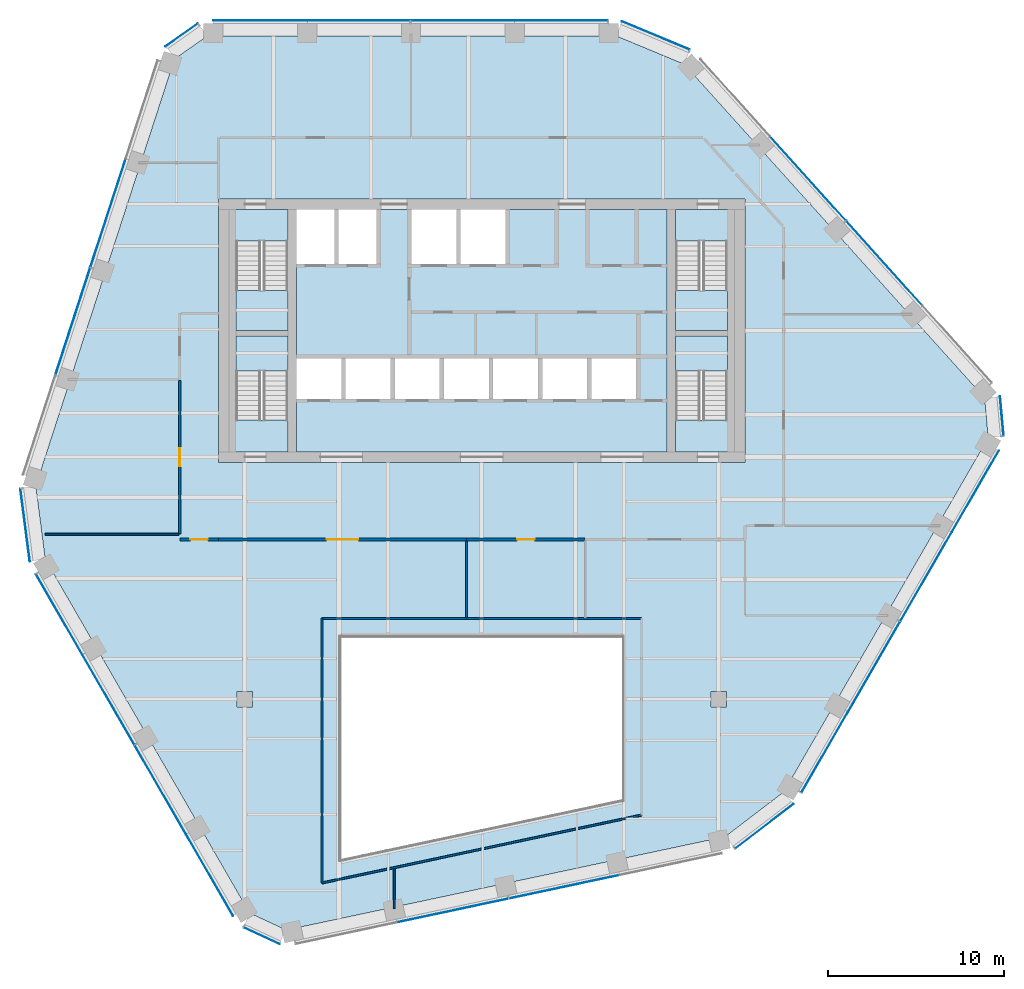
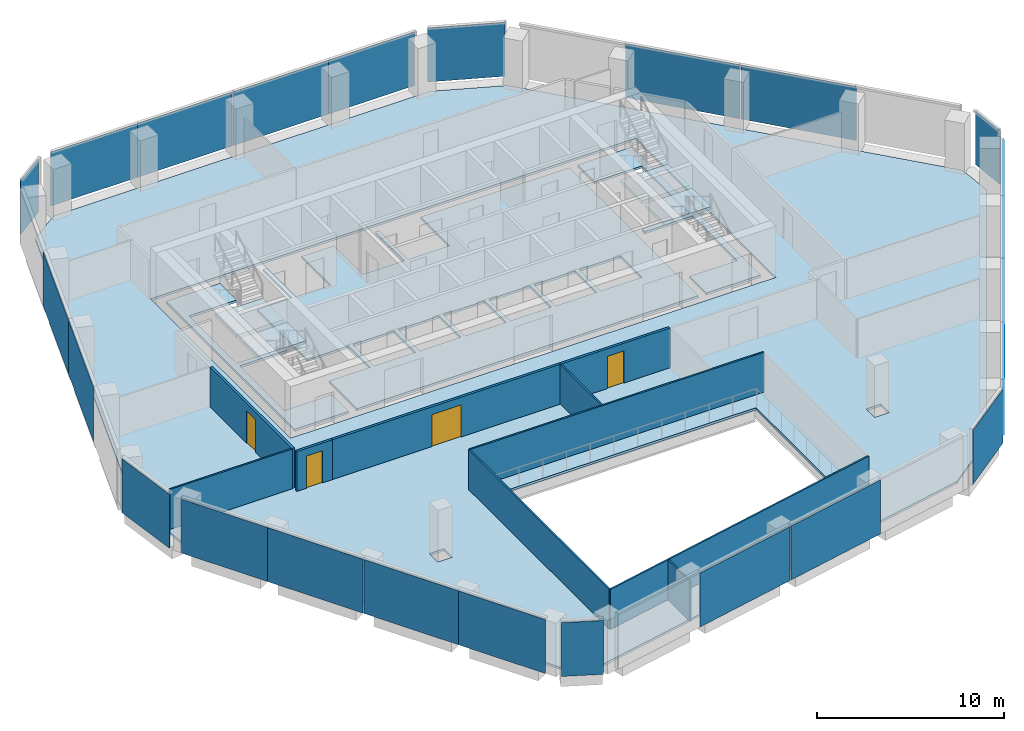
# One storey, part 8 of 16: 24 plates, 10 walls, 8 slabs, 4 doors, 4 openings, 16 elements without a shape of their own.
"""IFC4 building model written with IfcOpenShell, lengths in metres."""

from ifc_helpers import new_model, si_unit, direction, frame, frame_2d, origin, origin_2d, place, context, subcontext, project, spatial, polyline, rectangle, outline, extrude, material, layer, layer_set, type_object, element, fill, aggregate, save


model = new_model("IFC4")

# Units and contexts
model_context = context("Model", 3, precision=1e-05, world=origin(), true_north=direction((0.0, 1.0)))
body_context = subcontext(model_context, "Body", "Model", "MODEL_VIEW")
ifc_project = project(units=[si_unit("LENGTHUNIT", "METRE"), si_unit("AREAUNIT", "SQUARE_METRE"), si_unit("VOLUMEUNIT", "CUBIC_METRE"), si_unit("PLANEANGLEUNIT", "RADIAN"), si_unit("MASSUNIT", "GRAM", prefix="KILO")], contexts=[model_context])

# Site, building, storey
site_placement = place(None, origin())
site = spatial("IfcSite", under=ifc_project, at=site_placement, CompositionType="ELEMENT")
building_placement = place(site_placement, origin())
building = spatial("IfcBuilding", under=site, at=building_placement, Name="Isthmus Gate Tower", CompositionType="ELEMENT")
storey_placement = place(building_placement, frame((0.0, 0.0, 252.800048828125)))
storey = spatial("IfcBuildingStorey", under=building, at=storey_placement, Name="L64", CompositionType="ELEMENT", Elevation=252.800048828125)

# Slabs
ifc_material_1 = material(Name="Concrete f'c 40 MPa", Category="concrete")
ifc_layer_1 = layer(ifc_material_1, 0.14990234375)
ifc_layer_set_1 = layer_set([ifc_layer_1], Name="COMPOSITE FLOOR SLAB 150")
slab_type_1 = type_object("IfcSlabType", Name="COMPOSITE FLOOR SLAB 150", PredefinedType="FLOOR", material=ifc_layer_set_1)
slab_1_placement = place(storey_placement, frame((0.0, 0.0, -0.150146484375)))
element("IfcSlab", 1, at=slab_1_placement, inside=storey, type_object=slab_type_1, Name="str-slab-L64-1", PredefinedType="FLOOR", context=body_context, shape_type="SweptSolid", body=[
    extrude(outline(polyline([(11.539794921875, 22.68310546875), (28.65380859375, 3.67626953125), (28.859375, 1.3857421875), (17.21875, -18.7763671875), (13.874267578125, -21.335205078125), (-11.143310546875, -26.65283203125), (-13.2294921875, -25.685791015625), (-24.8701171875, -5.523681640625), (-25.4140625, -1.347900390625), (-17.510498046875, 22.976806640625), (-15.629638671875, 24.300048828125), (7.6513671875, 24.300048828125), (11.539794921875, 22.68310546875)]), holes=[polyline([(-8.0, -10.0), (-8.0, -22.611083984375), (8.0, -19.210205078125), (8.0, -10.0), (-8.0, -10.0)]), polyline([(-13.949951171875, -13.050048828125), (-13.949951171875, -13.949951171875), (-13.050048828125, -13.949951171875), (-13.050048828125, -13.050048828125), (-13.949951171875, -13.050048828125)]), polyline([(13.050048828125, -13.050048828125), (13.050048828125, -13.949951171875), (13.949951171875, -13.949951171875), (13.949951171875, -13.050048828125), (13.050048828125, -13.050048828125)]), polyline([(-15.0, 0.0), (15.0, 0.0), (15.0, 15.0), (-15.0, 15.0), (-15.0, 0.0)])]), origin(), (0.0, 0.0, 1.0), 0.150146484375),
])
ifc_material_2 = material(Name="Concrete f'c 40 MPa", Category="concrete")
ifc_layer_2 = layer(ifc_material_2, 0.14990234375)
ifc_layer_set_2 = layer_set([ifc_layer_2], Name="CORE FLOOR SLAB 150")
slab_type_2 = type_object("IfcSlabType", Name="CORE FLOOR SLAB 150", PredefinedType="FLOOR", material=ifc_layer_set_2)
slab_2_placement = place(storey_placement, frame((0.0, 0.0, -0.150146484375)))
element("IfcSlab", 2, at=slab_2_placement, inside=storey, type_object=slab_type_2, Name="L64 core floor", PredefinedType="FLOOR", context=body_context, shape_type="SweptSolid", body=[
    extrude(outline(polyline([(-11.050048828125, 0.60009765625), (-11.050048828125, 2.402099609375), (-14.0, 2.402099609375), (-14.0, 7.199951171875), (-11.050048828125, 7.199951171875), (-11.050048828125, 7.5), (-14.0, 7.5), (-14.0, 12.597900390625), (-11.050048828125, 12.597900390625), (-11.050048828125, 14.39990234375), (-14.39990234375, 14.39990234375), (-14.39990234375, 0.60009765625), (-11.050048828125, 0.60009765625)])), origin(), (0.0, 0.0, 1.0), 0.150146484375),
])
slab_3_placement = place(storey_placement, frame((0.0, 0.0, -0.150146484375)))
element("IfcSlab", 3, at=slab_3_placement, inside=storey, type_object=slab_type_2, Name="L64 core floor", PredefinedType="FLOOR", context=body_context, shape_type="SweptSolid", body=[
    extrude(outline(polyline([(10.550048828125, 14.39990234375), (1.35009765625, 14.39990234375), (1.35009765625, 11.300048828125), (-1.199951171875, 11.300048828125), (-1.199951171875, 14.39990234375), (-1.449951171875, 14.39990234375), (-1.449951171875, 11.300048828125), (-4.0, 11.300048828125), (-4.0, 14.39990234375), (-6.0, 14.39990234375), (-6.0, 11.300048828125), (-8.14990234375, 11.300048828125), (-8.14990234375, 14.39990234375), (-8.39990234375, 14.39990234375), (-8.39990234375, 11.300048828125), (-10.550048828125, 11.300048828125), (-10.550048828125, 5.89990234375), (-8.0, 5.89990234375), (-8.0, 3.60009765625), (-10.550048828125, 3.60009765625), (-10.550048828125, 0.60009765625), (10.550048828125, 0.60009765625), (10.550048828125, 14.39990234375)]), holes=[polyline([(-5.199951171875, 5.89990234375), (-5.199951171875, 3.60009765625), (-7.75, 3.60009765625), (-7.75, 5.89990234375), (-5.199951171875, 5.89990234375)]), polyline([(-2.39990234375, 5.89990234375), (-2.39990234375, 3.60009765625), (-4.949951171875, 3.60009765625), (-4.949951171875, 5.89990234375), (-2.39990234375, 5.89990234375)]), polyline([(0.39990234375, 5.89990234375), (0.39990234375, 3.60009765625), (-2.14990234375, 3.60009765625), (-2.14990234375, 5.89990234375), (0.39990234375, 5.89990234375)]), polyline([(3.199951171875, 5.89990234375), (3.199951171875, 3.60009765625), (0.64990234375, 3.60009765625), (0.64990234375, 5.89990234375), (3.199951171875, 5.89990234375)]), polyline([(6.0, 5.89990234375), (6.0, 3.60009765625), (3.449951171875, 3.60009765625), (3.449951171875, 5.89990234375), (6.0, 5.89990234375)]), polyline([(8.800048828125, 5.89990234375), (8.800048828125, 3.60009765625), (6.25, 3.60009765625), (6.25, 5.89990234375), (8.800048828125, 5.89990234375)])]), origin(), (0.0, 0.0, 1.0), 0.150146484375),
])
slab_4_placement = place(storey_placement, frame((0.0, 0.0, -0.150146484375)))
element("IfcSlab", 4, at=slab_4_placement, inside=storey, type_object=slab_type_2, Name="L64 core floor", PredefinedType="FLOOR", context=body_context, shape_type="SweptSolid", body=[
    extrude(outline(polyline([(11.050048828125, 14.39990234375), (11.050048828125, 12.597900390625), (14.0, 12.597900390625), (14.0, 7.5), (11.050048828125, 7.5), (11.050048828125, 7.199951171875), (14.0, 7.199951171875), (14.0, 2.402099609375), (11.050048828125, 2.402099609375), (11.050048828125, 0.60009765625), (14.39990234375, 0.60009765625), (14.39990234375, 14.39990234375), (11.050048828125, 14.39990234375)])), origin(), (0.0, 0.0, 1.0), 0.150146484375),
])

# Curtain wall, plates
ifc_material_3 = material(Name="Aluminium, pale champagne anodised", Category="aluminium")
ifc_layer_3 = layer(ifc_material_3, 0.199951171875)
ifc_layer_set_3 = layer_set([ifc_layer_3], Name="CW-1 UNITISED CURTAIN WALL 200 DEEP")
curtain_wall_type = type_object("IfcCurtainWallType", Name="CW-1 UNITISED CURTAIN WALL 200 DEEP", PredefinedType="NOTDEFINED", material=ifc_layer_set_3)
curtain_wall_1_placement = place(storey_placement, origin())
curtain_wall_1 = element("IfcCurtainWall", 5, at=curtain_wall_1_placement, inside=storey, type_object=curtain_wall_type, Name="CW-1 N L64", PredefinedType="NOTDEFINED")
ifc_material_4 = material(Name="Laminated low-iron glass, pale blue tint", Category="glass")
ifc_layer_4 = layer(ifc_material_4, 0.031982421875)
ifc_layer_set_4 = layer_set([ifc_layer_4], Name="CW-1 CLEAR GLASS LITE 32")
plate_type = type_object("IfcPlateType", Name="CW-1 CLEAR GLASS LITE 32", PredefinedType="CURTAIN_PANEL", material=ifc_layer_set_4)
plate_1_placement = place(storey_placement, frame((4.53076171875, 25.18408203125, 0.0), z_axis=(0.0, 0.0, 1.0), x_axis=(-1.0, 0.0, 0.0)))
plate_1 = element("IfcPlate", 6, at=plate_1_placement, type_object=plate_type, Name="CW-1 glass lite", PredefinedType="CURTAIN_PANEL", context=body_context, shape_type="SweptSolid", body=[
    extrude(rectangle(XDim=5.300537109375, YDim=0.031982421875, at=origin_2d()), origin(), (0.0, 0.0, 1.0), 3.52001953125),
])
plate_2_placement = place(storey_placement, frame((-1.07470703125, 25.18408203125, 0.0), z_axis=(0.0, 0.0, 1.0), x_axis=(-1.0, 0.0, 0.0)))
plate_2 = element("IfcPlate", 7, at=plate_2_placement, type_object=plate_type, Name="CW-1 glass lite", PredefinedType="CURTAIN_PANEL", context=body_context, shape_type="SweptSolid", body=[
    extrude(rectangle(XDim=5.91064453125, YDim=0.031982421875, at=origin_2d()), origin(), (0.0, 0.0, 1.0), 3.52001953125),
])
plate_3_placement = place(storey_placement, frame((-7.015380859375, 25.18408203125, 0.0), z_axis=(0.0, 0.0, 1.0), x_axis=(-1.0, 0.0, 0.0)))
plate_3 = element("IfcPlate", 8, at=plate_3_placement, type_object=plate_type, Name="CW-1 glass lite", PredefinedType="CURTAIN_PANEL", context=body_context, shape_type="SweptSolid", body=[
    extrude(rectangle(XDim=5.8505859375, YDim=0.031982421875, at=origin_2d()), origin(), (0.0, 0.0, 1.0), 3.52001953125),
])
plate_4_placement = place(storey_placement, frame((-12.62109375, 25.18408203125, 0.0), z_axis=(0.0, 0.0, 1.0), x_axis=(-1.0, 0.0, 0.0)))
plate_4 = element("IfcPlate", 9, at=plate_4_placement, type_object=plate_type, Name="CW-1 glass lite", PredefinedType="CURTAIN_PANEL", context=body_context, shape_type="SweptSolid", body=[
    extrude(rectangle(XDim=5.360595703125, YDim=0.031982421875, at=origin_2d()), origin(), (0.0, 0.0, 1.0), 3.52001953125),
])
aggregate(curtain_wall_1, [plate_1, plate_2, plate_3, plate_4])

# Curtain wall, plate
curtain_wall_2_placement = place(storey_placement, origin())
curtain_wall_2 = element("IfcCurtainWall", 10, at=curtain_wall_2_placement, inside=storey, type_object=curtain_wall_type, Name="CW-1 N-NW L64", PredefinedType="NOTDEFINED")
plate_5_placement = place(storey_placement, frame((-17.1025390625, 24.3447265625, 0.0), z_axis=(0.0, 0.0, 1.0), x_axis=(-0.81785959165, -0.57541783805, 0.0)))
plate_5 = element("IfcPlate", 11, at=plate_5_placement, type_object=plate_type, Name="CW-1 glass lite", PredefinedType="CURTAIN_PANEL", context=body_context, shape_type="SweptSolid", body=[
    extrude(rectangle(XDim=2.258544921875, YDim=0.031982421875, at=origin_2d()), origin(), (0.0, 0.0, 1.0), 3.52001953125),
])
aggregate(curtain_wall_2, [plate_5])

# Curtain wall, plates
curtain_wall_3_placement = place(storey_placement, origin())
curtain_wall_3 = element("IfcCurtainWall", 12, at=curtain_wall_3_placement, inside=storey, type_object=curtain_wall_type, Name="CW-1 NW L64", PredefinedType="NOTDEFINED")
plate_6_placement = place(storey_placement, frame((-21.288330078125, 14.210693359375, 0.0), z_axis=(0.0, 0.0, 1.0), x_axis=(-0.309016994375, -0.951056516295, 0.0)))
plate_6 = element("IfcPlate", 13, at=plate_6_placement, type_object=plate_type, Name="CW-1 glass lite", PredefinedType="CURTAIN_PANEL", context=body_context, shape_type="SweptSolid", body=[
    extrude(rectangle(XDim=6.491943359375, YDim=0.031982421875, at=origin_2d()), origin(), (0.0, 0.0, 1.0), 3.52001953125),
])
plate_7_placement = place(storey_placement, frame((-23.3037109375, 8.0078125, 0.0), z_axis=(0.0, 0.0, 1.0), x_axis=(-0.309016994375, -0.951056516295, 0.0)))
plate_7 = element("IfcPlate", 14, at=plate_7_placement, type_object=plate_type, Name="CW-1 glass lite", PredefinedType="CURTAIN_PANEL", context=body_context, shape_type="SweptSolid", body=[
    extrude(rectangle(XDim=6.431884765625, YDim=0.031982421875, at=origin_2d()), origin(), (0.0, 0.0, 1.0), 3.52001953125),
])
aggregate(curtain_wall_3, [plate_6, plate_7])

# Curtain wall, plate
curtain_wall_4_placement = place(storey_placement, origin())
curtain_wall_4 = element("IfcCurtainWall", 15, at=curtain_wall_4_placement, inside=storey, type_object=curtain_wall_type, Name="CW-1 NW-SW L64", PredefinedType="NOTDEFINED")
plate_8_placement = place(storey_placement, frame((-26.014892578125, -3.57958984375, 0.0), z_axis=(0.0, 0.0, 1.0), x_axis=(0.129164534, -0.991623175988, 0.0)))
plate_8 = element("IfcPlate", 16, at=plate_8_placement, type_object=plate_type, Name="CW-1 glass lite", PredefinedType="CURTAIN_PANEL", context=body_context, shape_type="SweptSolid", body=[
    extrude(rectangle(XDim=4.181396484375, YDim=0.031982421875, at=origin_2d()), origin(), (0.0, 0.0, 1.0), 3.52001953125),
])
aggregate(curtain_wall_4, [plate_8])

# Curtain wall, plates
curtain_wall_5_placement = place(storey_placement, origin())
curtain_wall_5 = element("IfcCurtainWall", 17, at=curtain_wall_5_placement, inside=storey, type_object=curtain_wall_type, Name="CW-1 SW L64", PredefinedType="NOTDEFINED")
plate_9_placement = place(storey_placement, frame((-24.075439453125, -8.668212890625, 0.0), z_axis=(0.0, 0.0, 1.0), x_axis=(0.5, -0.866025403784, 0.0)))
plate_9 = element("IfcPlate", 18, at=plate_9_placement, type_object=plate_type, Name="CW-1 glass lite", PredefinedType="CURTAIN_PANEL", context=body_context, shape_type="SweptSolid", body=[
    extrude(rectangle(XDim=5.300537109375, YDim=0.031982421875, at=origin_2d()), origin(), (0.0, 0.0, 1.0), 3.52001953125),
])
plate_10_placement = place(storey_placement, frame((-21.272705078125, -13.522705078125, 0.0), z_axis=(0.0, 0.0, 1.0), x_axis=(0.5, -0.866025403784, 0.0)))
plate_10 = element("IfcPlate", 19, at=plate_10_placement, type_object=plate_type, Name="CW-1 glass lite", PredefinedType="CURTAIN_PANEL", context=body_context, shape_type="SweptSolid", body=[
    extrude(rectangle(XDim=5.91064453125, YDim=0.031982421875, at=origin_2d()), origin(), (0.0, 0.0, 1.0), 3.52001953125),
])
plate_11_placement = place(storey_placement, frame((-18.30224609375, -18.66748046875, 0.0), z_axis=(0.0, 0.0, 1.0), x_axis=(0.5, -0.866025403784, 0.0)))
plate_11 = element("IfcPlate", 20, at=plate_11_placement, type_object=plate_type, Name="CW-1 glass lite", PredefinedType="CURTAIN_PANEL", context=body_context, shape_type="SweptSolid", body=[
    extrude(rectangle(XDim=5.8505859375, YDim=0.031982421875, at=origin_2d()), origin(), (0.0, 0.0, 1.0), 3.52001953125),
])
plate_12_placement = place(storey_placement, frame((-15.49951171875, -23.52197265625, 0.0), z_axis=(0.0, 0.0, 1.0), x_axis=(0.5, -0.866025403784, 0.0)))
plate_12 = element("IfcPlate", 21, at=plate_12_placement, type_object=plate_type, Name="CW-1 glass lite", PredefinedType="CURTAIN_PANEL", context=body_context, shape_type="SweptSolid", body=[
    extrude(rectangle(XDim=5.360595703125, YDim=0.031982421875, at=origin_2d()), origin(), (0.0, 0.0, 1.0), 3.52001953125),
])
aggregate(curtain_wall_5, [plate_9, plate_10, plate_11, plate_12])

# Curtain wall, plate
curtain_wall_6_placement = place(storey_placement, origin())
curtain_wall_6 = element("IfcCurtainWall", 22, at=curtain_wall_6_placement, inside=storey, type_object=curtain_wall_type, Name="CW-1 SW-S L64", PredefinedType="NOTDEFINED")
plate_13_placement = place(storey_placement, frame((-12.531982421875, -26.9833984375, 0.0), z_axis=(0.0, 0.0, 1.0), x_axis=(0.907256261367, -0.420578264073, 0.0)))
plate_13 = element("IfcPlate", 23, at=plate_13_placement, type_object=plate_type, Name="CW-1 glass lite", PredefinedType="CURTAIN_PANEL", context=body_context, shape_type="SweptSolid", body=[
    extrude(rectangle(XDim=2.258544921875, YDim=0.031982421875, at=origin_2d()), origin(), (0.0, 0.0, 1.0), 3.52001953125),
])
aggregate(curtain_wall_6, [plate_13])

# Curtain wall, plates
curtain_wall_7_placement = place(storey_placement, origin())
curtain_wall_7 = element("IfcCurtainWall", 24, at=curtain_wall_7_placement, inside=storey, type_object=curtain_wall_type, Name="CW-1 S L64", PredefinedType="NOTDEFINED")
plate_14_placement = place(storey_placement, frame((-1.66259765625, -25.54150390625, 0.0), z_axis=(0.0, 0.0, 1.0), x_axis=(0.978147600734, 0.207911690818, 0.0)))
plate_14 = element("IfcPlate", 25, at=plate_14_placement, type_object=plate_type, Name="CW-1 glass lite", PredefinedType="CURTAIN_PANEL", context=body_context, shape_type="SweptSolid", body=[
    extrude(rectangle(XDim=6.491943359375, YDim=0.031982421875, at=origin_2d()), origin(), (0.0, 0.0, 1.0), 3.52001953125),
])
plate_15_placement = place(storey_placement, frame((4.716796875, -24.185546875, 0.0), z_axis=(0.0, 0.0, 1.0), x_axis=(0.978147600734, 0.207911690818, 0.0)))
plate_15 = element("IfcPlate", 26, at=plate_15_placement, type_object=plate_type, Name="CW-1 glass lite", PredefinedType="CURTAIN_PANEL", context=body_context, shape_type="SweptSolid", body=[
    extrude(rectangle(XDim=6.431884765625, YDim=0.031982421875, at=origin_2d()), origin(), (0.0, 0.0, 1.0), 3.52001953125),
])
aggregate(curtain_wall_7, [plate_14, plate_15])

# Curtain wall, plate
curtain_wall_8_placement = place(storey_placement, origin())
curtain_wall_8 = element("IfcCurtainWall", 27, at=curtain_wall_8_placement, inside=storey, type_object=curtain_wall_type, Name="CW-1 S-SE L64", PredefinedType="NOTDEFINED")
plate_16_placement = place(storey_placement, frame((16.107421875, -20.73974609375, 0.0), z_axis=(0.0, 0.0, 1.0), x_axis=(0.794188594387, 0.607671355706, 0.0)))
plate_16 = element("IfcPlate", 28, at=plate_16_placement, type_object=plate_type, Name="CW-1 glass lite", PredefinedType="CURTAIN_PANEL", context=body_context, shape_type="SweptSolid", body=[
    extrude(rectangle(XDim=4.181396484375, YDim=0.031982421875, at=origin_2d()), origin(), (0.0, 0.0, 1.0), 3.52001953125),
])
aggregate(curtain_wall_8, [plate_16])

# Curtain wall, plates
curtain_wall_9_placement = place(storey_placement, origin())
curtain_wall_9 = element("IfcCurtainWall", 29, at=curtain_wall_9_placement, inside=storey, type_object=curtain_wall_type, Name="CW-1 SE L64", PredefinedType="NOTDEFINED")
plate_17_placement = place(storey_placement, frame((19.544677734375, -16.515869140625, 0.0), z_axis=(0.0, 0.0, 1.0), x_axis=(0.5, 0.866025403784, 0.0)))
plate_17 = element("IfcPlate", 30, at=plate_17_placement, type_object=plate_type, Name="CW-1 glass lite", PredefinedType="CURTAIN_PANEL", context=body_context, shape_type="SweptSolid", body=[
    extrude(rectangle(XDim=5.300537109375, YDim=0.031982421875, at=origin_2d()), origin(), (0.0, 0.0, 1.0), 3.52001953125),
])
plate_18_placement = place(storey_placement, frame((22.347412109375, -11.6611328125, 0.0), z_axis=(0.0, 0.0, 1.0), x_axis=(0.5, 0.866025403784, 0.0)))
plate_18 = element("IfcPlate", 31, at=plate_18_placement, type_object=plate_type, Name="CW-1 glass lite", PredefinedType="CURTAIN_PANEL", context=body_context, shape_type="SweptSolid", body=[
    extrude(rectangle(XDim=5.91064453125, YDim=0.031982421875, at=origin_2d()), origin(), (0.0, 0.0, 1.0), 3.52001953125),
])
plate_19_placement = place(storey_placement, frame((25.317626953125, -6.5166015625, 0.0), z_axis=(0.0, 0.0, 1.0), x_axis=(0.5, 0.866025403784, 0.0)))
plate_19 = element("IfcPlate", 32, at=plate_19_placement, type_object=plate_type, Name="CW-1 glass lite", PredefinedType="CURTAIN_PANEL", context=body_context, shape_type="SweptSolid", body=[
    extrude(rectangle(XDim=5.8505859375, YDim=0.031982421875, at=origin_2d()), origin(), (0.0, 0.0, 1.0), 3.52001953125),
])
plate_20_placement = place(storey_placement, frame((28.120361328125, -1.661865234375, 0.0), z_axis=(0.0, 0.0, 1.0), x_axis=(0.5, 0.866025403784, 0.0)))
plate_20 = element("IfcPlate", 33, at=plate_20_placement, type_object=plate_type, Name="CW-1 glass lite", PredefinedType="CURTAIN_PANEL", context=body_context, shape_type="SweptSolid", body=[
    extrude(rectangle(XDim=5.360595703125, YDim=0.031982421875, at=origin_2d()), origin(), (0.0, 0.0, 1.0), 3.52001953125),
])
aggregate(curtain_wall_9, [plate_17, plate_18, plate_19, plate_20])

# Curtain wall, plate
curtain_wall_10_placement = place(storey_placement, origin())
curtain_wall_10 = element("IfcCurtainWall", 34, at=curtain_wall_10_placement, inside=storey, type_object=curtain_wall_type, Name="CW-1 SE-NE L64", PredefinedType="NOTDEFINED")
plate_21_placement = place(storey_placement, frame((29.63427734375, 2.638671875, 0.0), z_axis=(0.0, 0.0, 1.0), x_axis=(-0.089396669717, 0.995996102123, 0.0)))
plate_21 = element("IfcPlate", 35, at=plate_21_placement, type_object=plate_type, Name="CW-1 glass lite", PredefinedType="CURTAIN_PANEL", context=body_context, shape_type="SweptSolid", body=[
    extrude(rectangle(XDim=2.258544921875, YDim=0.031982421875, at=origin_2d()), origin(), (0.0, 0.0, 1.0), 3.52001953125),
])
aggregate(curtain_wall_10, [plate_21])

# Curtain wall, plates
curtain_wall_11_placement = place(storey_placement, origin())
curtain_wall_11 = element("IfcCurtainWall", 36, at=curtain_wall_11_placement, inside=storey, type_object=curtain_wall_type, Name="CW-1 NE L64", PredefinedType="NOTDEFINED")
plate_22_placement = place(storey_placement, frame((22.950927734375, 11.330810546875, 0.0), z_axis=(0.0, 0.0, 1.0), x_axis=(-0.669130606359, 0.743144825477, 0.0)))
plate_22 = element("IfcPlate", 37, at=plate_22_placement, type_object=plate_type, Name="CW-1 glass lite", PredefinedType="CURTAIN_PANEL", context=body_context, shape_type="SweptSolid", body=[
    extrude(rectangle(XDim=6.491943359375, YDim=0.031982421875, at=origin_2d()), origin(), (0.0, 0.0, 1.0), 3.52001953125),
])
plate_23_placement = place(storey_placement, frame((18.5869140625, 16.177734375, 0.0), z_axis=(0.0, 0.0, 1.0), x_axis=(-0.669130606359, 0.743144825477, 0.0)))
plate_23 = element("IfcPlate", 38, at=plate_23_placement, type_object=plate_type, Name="CW-1 glass lite", PredefinedType="CURTAIN_PANEL", context=body_context, shape_type="SweptSolid", body=[
    extrude(rectangle(XDim=6.431884765625, YDim=0.031982421875, at=origin_2d()), origin(), (0.0, 0.0, 1.0), 3.52001953125),
])
aggregate(curtain_wall_11, [plate_22, plate_23])

# Curtain wall, plate
curtain_wall_12_placement = place(storey_placement, origin())
curtain_wall_12 = element("IfcCurtainWall", 39, at=curtain_wall_12_placement, inside=storey, type_object=curtain_wall_type, Name="CW-1 NE-N L64", PredefinedType="NOTDEFINED")
plate_24_placement = place(storey_placement, frame((9.907470703125, 24.3193359375, 0.0), z_axis=(0.0, 0.0, 1.0), x_axis=(-0.923353128387, 0.383951820282, 0.0)))
plate_24 = element("IfcPlate", 40, at=plate_24_placement, type_object=plate_type, Name="CW-1 glass lite", PredefinedType="CURTAIN_PANEL", context=body_context, shape_type="SweptSolid", body=[
    extrude(rectangle(XDim=4.181396484375, YDim=0.031982421875, at=origin_2d()), origin(), (0.0, 0.0, 1.0), 3.52001953125),
])
aggregate(curtain_wall_12, [plate_24])

# Stair, slab
ifc_material_5 = material(Name="Concrete f'c 40 MPa", Category="concrete")
stair_type = type_object("IfcStairType", Name="CORE STAIR 22 RISERS", PredefinedType="HALF_TURN_STAIR", material=ifc_material_5)
stair_1_placement = place(storey_placement, origin())
stair_1 = element("IfcStair", 41, at=stair_1_placement, inside=storey, type_object=stair_type, Name="L64 Exit Stair 1", PredefinedType="HALF_TURN_STAIR")
ifc_material_6 = material(Name="Concrete f'c 40 MPa", Category="concrete")
ifc_layer_5 = layer(ifc_material_6, 0.199951171875)
ifc_layer_set_5 = layer_set([ifc_layer_5])
slab_type_3 = type_object("IfcSlabType", Name="STAIR LANDING RC 200", PredefinedType="LANDING", material=ifc_layer_set_5)
slab_5_placement = place(storey_placement, frame((0.0, 0.0, 1.625)))
slab_5 = element("IfcSlab", 42, at=slab_5_placement, type_object=slab_type_3, Name="ST1 landing 1", PredefinedType="LANDING", context=body_context, shape_type="SweptSolid", body=[
    extrude(outline(polyline([(-14.0, 9.800048828125), (-14.0, 7.5), (-11.050048828125, 7.5), (-11.050048828125, 9.800048828125), (-14.0, 9.800048828125)])), origin(), (0.0, 0.0, 1.0), 0.199951171875),
])
aggregate(stair_1, [slab_5])

stair_2_placement = place(storey_placement, origin())
stair_2 = element("IfcStair", 43, at=stair_2_placement, inside=storey, type_object=stair_type, Name="L64 Exit Stair 2", PredefinedType="HALF_TURN_STAIR")
slab_6_placement = place(storey_placement, frame((0.0, 0.0, 1.625)))
slab_6 = element("IfcSlab", 44, at=slab_6_placement, type_object=slab_type_3, Name="ST2 landing 1", PredefinedType="LANDING", context=body_context, shape_type="SweptSolid", body=[
    extrude(outline(polyline([(11.050048828125, 9.800048828125), (11.050048828125, 7.5), (14.0, 7.5), (14.0, 9.800048828125), (11.050048828125, 9.800048828125)])), origin(), (0.0, 0.0, 1.0), 0.199951171875),
])
aggregate(stair_2, [slab_6])

stair_3_placement = place(storey_placement, origin())
stair_3 = element("IfcStair", 45, at=stair_3_placement, inside=storey, type_object=stair_type, Name="L64 Exit Stair 7", PredefinedType="HALF_TURN_STAIR")
slab_7_placement = place(storey_placement, frame((0.0, 0.0, 1.625)))
slab_7 = element("IfcSlab", 46, at=slab_7_placement, type_object=slab_type_3, Name="ST7 landing 1", PredefinedType="LANDING", context=body_context, shape_type="SweptSolid", body=[
    extrude(outline(polyline([(-11.050048828125, 5.199951171875), (-11.050048828125, 7.199951171875), (-14.0, 7.199951171875), (-14.0, 5.199951171875), (-11.050048828125, 5.199951171875)])), origin(), (0.0, 0.0, 1.0), 0.199951171875),
])
aggregate(stair_3, [slab_7])

stair_4_placement = place(storey_placement, origin())
stair_4 = element("IfcStair", 47, at=stair_4_placement, inside=storey, type_object=stair_type, Name="L64 Exit Stair 8", PredefinedType="HALF_TURN_STAIR")
slab_8_placement = place(storey_placement, frame((0.0, 0.0, 1.625)))
slab_8 = element("IfcSlab", 48, at=slab_8_placement, type_object=slab_type_3, Name="ST8 landing 1", PredefinedType="LANDING", context=body_context, shape_type="SweptSolid", body=[
    extrude(outline(polyline([(14.0, 5.199951171875), (14.0, 7.199951171875), (11.050048828125, 7.199951171875), (11.050048828125, 5.199951171875), (14.0, 5.199951171875)])), origin(), (0.0, 0.0, 1.0), 0.199951171875),
])
aggregate(stair_4, [slab_8])

# Walls
ifc_material_7 = material(Name="Fire-rated laminated glass in steel frame", Category="steel")
ifc_layer_6 = layer(ifc_material_7, 0.10009765625)
ifc_layer_set_6 = layer_set([ifc_layer_6], Name="ATRIUM SCREEN GLAZED WALL 100 120 MIN")
wall_type_1 = type_object("IfcWallType", Name="ATRIUM SCREEN GLAZED WALL 100 120 MIN", PredefinedType="PARTITIONING", material=ifc_layer_set_6)
wall_1_placement = place(storey_placement, frame((-9.10009765625, -8.89990234375, 0.0), z_axis=(0.0, 0.0, 1.0), x_axis=(1.0, 0.0, 0.0)))
element("IfcWall", 49, at=wall_1_placement, inside=storey, type_object=wall_type_1, Name="L64 atrium screen", PredefinedType="PARTITIONING", context=body_context, shape_type="SweptSolid", body=[
    extrude(rectangle(XDim=18.2001953125, YDim=0.10009765625, at=frame_2d((9.10009765625, 0.0))), origin(), (0.0, 0.0, 1.0), 2.6005859375),
])
wall_2_placement = place(storey_placement, frame((9.10009765625, -20.100830078125, 0.0), z_axis=(0.0, 0.0, 1.0), x_axis=(-0.978146710971, -0.207915876778, 0.0)))
element("IfcWall", 50, at=wall_2_placement, inside=storey, type_object=wall_type_1, Name="L64 atrium screen", PredefinedType="PARTITIONING", context=body_context, shape_type="SweptSolid", body=[
    extrude(rectangle(XDim=18.60693359375, YDim=0.10009765625, at=frame_2d((9.303466796875, 0.0))), origin(), (0.0, 0.0, 1.0), 2.6005859375),
])
wall_3_placement = place(storey_placement, frame((-9.10009765625, -23.969482421875, 0.0), z_axis=(0.0, 0.0, 1.0), x_axis=(0.0, 1.0, 0.0)))
element("IfcWall", 51, at=wall_3_placement, inside=storey, type_object=wall_type_1, Name="L64 atrium screen", PredefinedType="PARTITIONING", context=body_context, shape_type="SweptSolid", body=[
    extrude(rectangle(XDim=15.069580078125, YDim=0.10009765625, at=frame_2d((7.53466796875, 0.0))), origin(), (0.0, 0.0, 1.0), 2.6005859375),
])

# Wall, opening, door
ifc_material_8 = material(Name="Gypsum board on steel studs, fire-rated", Category="steel")
ifc_layer_7 = layer(ifc_material_8, 0.14990234375)
ifc_layer_set_7 = layer_set([ifc_layer_7], Name="CORRIDOR WALL 150 60 MIN")
wall_type_2 = type_object("IfcWallType", Name="CORRIDOR WALL 150 60 MIN", PredefinedType="PARTITIONING", material=ifc_layer_set_7)
wall_4_placement = place(storey_placement, frame((5.89208984375, -4.39990234375, 0.0), z_axis=(0.0, 0.0, 1.0), x_axis=(-1.0, 0.0, 0.0)))
wall_4 = element("IfcWall", 52, at=wall_4_placement, inside=storey, type_object=wall_type_2, Name="L64 Corridor Wall 150 60 Min", PredefinedType="PARTITIONING", context=body_context, shape_type="SweptSolid", body=[
    extrude(rectangle(XDim=6.759033203125, YDim=0.14990234375, at=frame_2d((3.37939453125, 0.0))), origin(), (0.0, 0.0, 1.0), 2.6005859375),
])
opening_1_placement = place(wall_4_placement, frame((2.87939453125, 0.0, 0.0)))
opening_1 = element("IfcOpeningElement", 53, at=opening_1_placement, cuts=wall_4, Name="Opening DT-T5D-06", PredefinedType="OPENING", context=body_context, shape_type="SweptSolid", body=[
    extrude(rectangle(XDim=1.0, YDim=2.10009765625, at=frame_2d((0.5, 1.050048828125))), frame((0.0, 0.0849609375, 0.0), z_axis=(0.0, -1.0, 0.0), x_axis=(1.0, 0.0, 0.0)), (0.0, 0.0, 1.0), 0.169921875),
])
ifc_material_9 = material(Name="Solid core timber door leaf, fire-rated", Category="wood")
door_type_1 = type_object("IfcDoorType", Name="FIRE DOOR ROOM 1000 X 2100 60 MIN", OperationType="SINGLE_SWING_LEFT", PredefinedType="DOOR", material=ifc_material_9)
door_1_placement = place(opening_1_placement, origin())
door_1 = element("IfcDoor", 54, at=door_1_placement, inside=storey, type_object=door_type_1, Name="L64 room door", OperationType="SINGLE_SWING_RIGHT", OverallHeight=2.10009765625, OverallWidth=1.0, PredefinedType="DOOR", context=body_context, shape_type="SweptSolid", body=[
    extrude(rectangle(XDim=1.0, YDim=2.10009765625, at=frame_2d((0.5, 1.050048828125))), frame((0.0, 0.02490234375, 0.0), z_axis=(0.0, -1.0, 0.0), x_axis=(1.0, 0.0, 0.0)), (0.0, 0.0, 1.0), 0.050048828125),
])
fill(opening_1, door_1)

wall_5_placement = place(storey_placement, frame((-0.866943359375, -4.39990234375, 0.0), z_axis=(0.0, 0.0, 1.0), x_axis=(-1.0, 0.0, 0.0)))
wall_5 = element("IfcWall", 55, at=wall_5_placement, inside=storey, type_object=wall_type_2, Name="L64 Corridor Wall 150 60 Min", PredefinedType="PARTITIONING", context=body_context, shape_type="SweptSolid", body=[
    extrude(rectangle(XDim=14.133056640625, YDim=0.14990234375, at=frame_2d((7.06640625, 0.0))), origin(), (0.0, 0.0, 1.0), 2.6005859375),
])
opening_2_placement = place(wall_5_placement, frame((6.16650390625, 0.0, 0.0)))
opening_2 = element("IfcOpeningElement", 56, at=opening_2_placement, cuts=wall_5, Name="Opening DT-T5D-08", PredefinedType="OPENING", context=body_context, shape_type="SweptSolid", body=[
    extrude(rectangle(XDim=1.800048828125, YDim=2.10009765625, at=frame_2d((0.89990234375, 1.050048828125))), frame((0.0, 0.0849609375, 0.0), z_axis=(0.0, -1.0, 0.0), x_axis=(1.0, 0.0, 0.0)), (0.0, 0.0, 1.0), 0.169921875),
])
ifc_material_10 = material(Name="Solid core timber door leaf, fire-rated", Category="wood")
door_type_2 = type_object("IfcDoorType", Name="FIRE DOOR ROOM 1800 X 2100 60 MIN", OperationType="DOUBLE_DOOR_DOUBLE_SWING", PredefinedType="DOOR", material=ifc_material_10)
door_2_placement = place(opening_2_placement, origin())
door_2 = element("IfcDoor", 57, at=door_2_placement, inside=storey, type_object=door_type_2, Name="L64 room door", OperationType="DOUBLE_DOOR_DOUBLE_SWING", OverallHeight=2.10009765625, OverallWidth=1.800048828125, PredefinedType="DOOR", context=body_context, shape_type="SweptSolid", body=[
    extrude(rectangle(XDim=1.800048828125, YDim=2.10009765625, at=frame_2d((0.89990234375, 1.050048828125))), frame((0.0, 0.02490234375, 0.0), z_axis=(0.0, -1.0, 0.0), x_axis=(1.0, 0.0, 0.0)), (0.0, 0.0, 1.0), 0.050048828125),
])
fill(opening_2, door_2)

wall_6_placement = place(storey_placement, frame((-15.0, -4.39990234375, 0.0), z_axis=(0.0, 0.0, 1.0), x_axis=(-1.0, 0.0, 0.0)))
wall_6 = element("IfcWall", 58, at=wall_6_placement, inside=storey, type_object=wall_type_2, Name="L64 Corridor Wall 150 60 Min", PredefinedType="PARTITIONING", context=body_context, shape_type="SweptSolid", body=[
    extrude(rectangle(XDim=2.199951171875, YDim=0.14990234375, at=frame_2d((1.10009765625, 0.0))), origin(), (0.0, 0.0, 1.0), 2.6005859375),
])
opening_3_placement = place(wall_6_placement, frame((0.60009765625, 0.0, 0.0)))
opening_3 = element("IfcOpeningElement", 59, at=opening_3_placement, cuts=wall_6, Name="Opening DT-T5D-09", PredefinedType="OPENING", context=body_context, shape_type="SweptSolid", body=[
    extrude(rectangle(XDim=1.0, YDim=2.10009765625, at=frame_2d((0.5, 1.050048828125))), frame((0.0, 0.0849609375, 0.0), z_axis=(0.0, -1.0, 0.0), x_axis=(1.0, 0.0, 0.0)), (0.0, 0.0, 1.0), 0.169921875),
])
door_3_placement = place(opening_3_placement, origin())
door_3 = element("IfcDoor", 60, at=door_3_placement, inside=storey, type_object=door_type_1, Name="L64 room door", OperationType="SINGLE_SWING_RIGHT", OverallHeight=2.10009765625, OverallWidth=1.0, PredefinedType="DOOR", context=body_context, shape_type="SweptSolid", body=[
    extrude(rectangle(XDim=1.0, YDim=2.10009765625, at=frame_2d((0.5, 1.050048828125))), frame((0.0, 0.02490234375, 0.0), z_axis=(0.0, -1.0, 0.0), x_axis=(1.0, 0.0, 0.0)), (0.0, 0.0, 1.0), 0.050048828125),
])
fill(opening_3, door_3)

wall_7_placement = place(storey_placement, frame((-17.199951171875, -4.10009765625, 0.0), z_axis=(0.0, 0.0, 1.0), x_axis=(0.0, 1.0, 0.0)))
wall_7 = element("IfcWall", 61, at=wall_7_placement, inside=storey, type_object=wall_type_2, Name="L64 Corridor Wall 150 60 Min", PredefinedType="PARTITIONING", context=body_context, shape_type="SweptSolid", body=[
    extrude(rectangle(XDim=8.773193359375, YDim=0.14990234375, at=frame_2d((4.38671875, 0.0))), origin(), (0.0, 0.0, 1.0), 2.6005859375),
])
opening_4_placement = place(wall_7_placement, frame((3.886474609375, 0.0, 0.0)))
opening_4 = element("IfcOpeningElement", 62, at=opening_4_placement, cuts=wall_7, Name="Opening DT-T5D-11", PredefinedType="OPENING", context=body_context, shape_type="SweptSolid", body=[
    extrude(rectangle(XDim=1.0, YDim=2.10009765625, at=frame_2d((0.5, 1.050048828125))), frame((0.0, 0.0849609375, 0.0), z_axis=(0.0, -1.0, 0.0), x_axis=(1.0, 0.0, 0.0)), (0.0, 0.0, 1.0), 0.169921875),
])
door_4_placement = place(opening_4_placement, origin())
door_4 = element("IfcDoor", 63, at=door_4_placement, inside=storey, type_object=door_type_1, Name="L64 room door", OperationType="SINGLE_SWING_RIGHT", OverallHeight=2.10009765625, OverallWidth=1.0, PredefinedType="DOOR", context=body_context, shape_type="SweptSolid", body=[
    extrude(rectangle(XDim=1.0, YDim=2.10009765625, at=frame_2d((0.5, 1.050048828125))), frame((0.0, 0.02490234375, 0.0), z_axis=(0.0, -1.0, 0.0), x_axis=(1.0, 0.0, 0.0)), (0.0, 0.0, 1.0), 0.050048828125),
])
fill(opening_4, door_4)

# Walls
ifc_material_11 = material(Name="Gypsum board on steel studs, fire-rated", Category="steel")
ifc_layer_8 = layer(ifc_material_11, 0.10009765625)
ifc_layer_set_8 = layer_set([ifc_layer_8], Name="ROOM PARTITION 100 30 MIN")
wall_type_3 = type_object("IfcWallType", Name="ROOM PARTITION 100 30 MIN", PredefinedType="PARTITIONING", material=ifc_layer_set_8)
wall_8_placement = place(storey_placement, frame((-0.866943359375, -8.85009765625, 0.0), z_axis=(0.0, 0.0, 1.0), x_axis=(0.0, 1.0, 0.0)))
element("IfcWall", 64, at=wall_8_placement, inside=storey, type_object=wall_type_3, Name="L64 Room Partition 100 30 Min", PredefinedType="PARTITIONING", context=body_context, shape_type="SweptSolid", body=[
    extrude(rectangle(XDim=4.375, YDim=0.10009765625, at=frame_2d((2.1875, 0.0))), origin(), (0.0, 0.0, 1.0), 2.6005859375),
])
wall_9_placement = place(storey_placement, frame((-4.989990234375, -25.447021484375, 0.0), z_axis=(0.0, 0.0, 1.0), x_axis=(0.0, 1.0, 0.0)))
element("IfcWall", 65, at=wall_9_placement, inside=storey, type_object=wall_type_3, Name="L64 Room Partition 100 30 Min", PredefinedType="PARTITIONING", context=body_context, shape_type="SweptSolid", body=[
    extrude(rectangle(XDim=2.300048828125, YDim=0.10009765625, at=frame_2d((1.14990234375, 0.0))), origin(), (0.0, 0.0, 1.0), 2.6005859375),
])
wall_10_placement = place(storey_placement, frame((-24.85693359375, -4.10009765625, 0.0), z_axis=(0.0, 0.0, 1.0), x_axis=(1.0, 0.0, 0.0)))
element("IfcWall", 66, at=wall_10_placement, inside=storey, type_object=wall_type_3, Name="L64 Room Partition 100 30 Min", PredefinedType="PARTITIONING", context=body_context, shape_type="SweptSolid", body=[
    extrude(rectangle(XDim=7.58203125, YDim=0.10009765625, at=frame_2d((3.791015625, 0.0))), origin(), (0.0, 0.0, 1.0), 2.6005859375),
])

save(model, "model.ifc")
